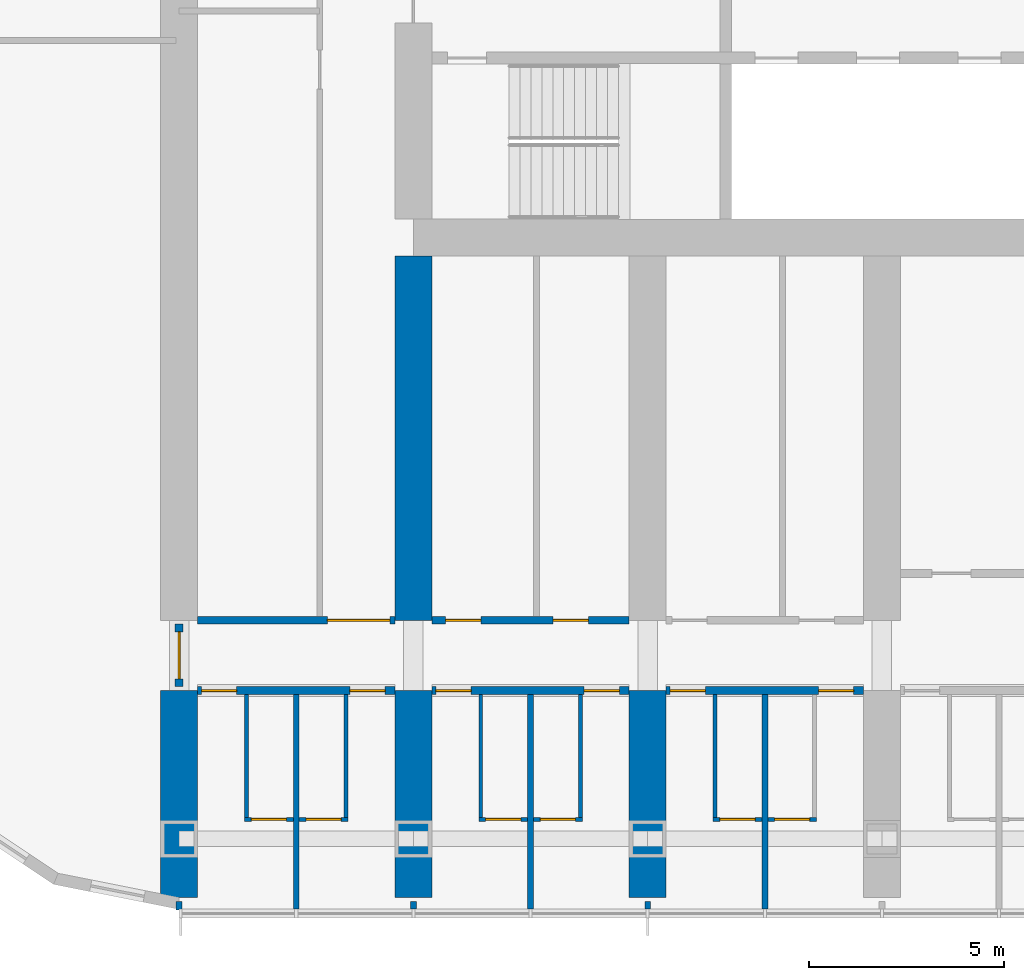
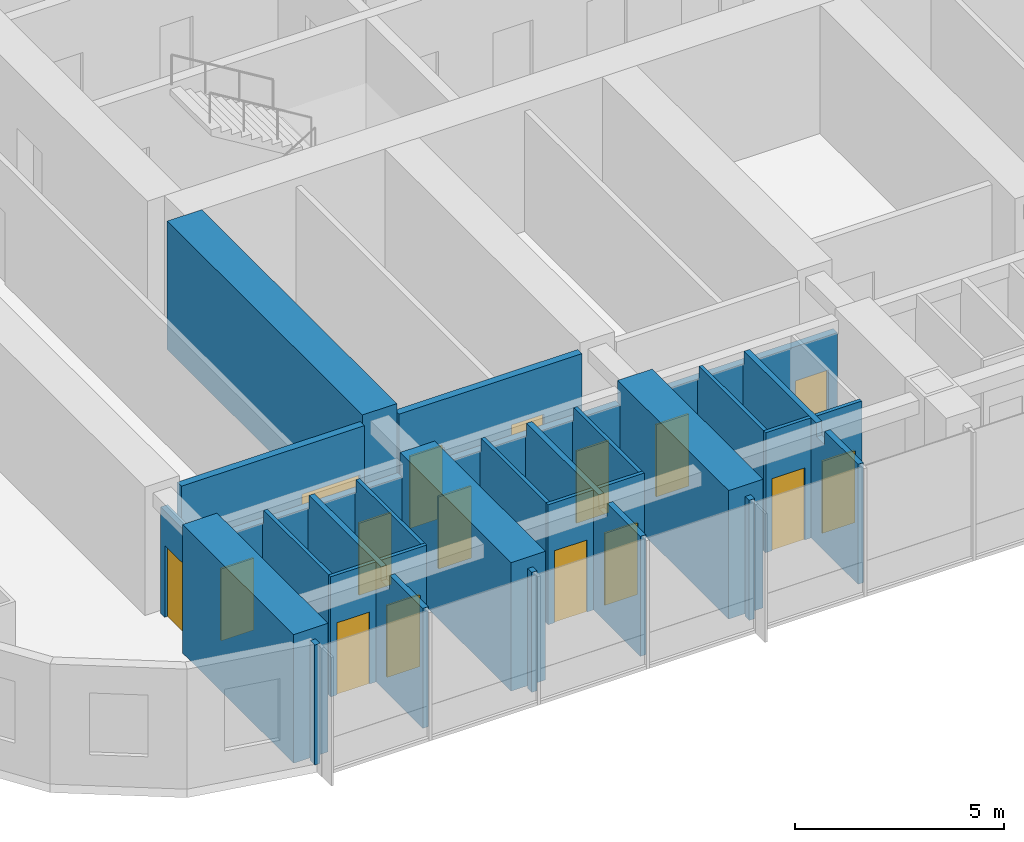
# One storey, part 8 of 22: 27 walls, 16 doors, 16 openings.
"""IFC4 building model written with IfcOpenShell, lengths in metres."""

from ifc_helpers import new_model, si_unit, direction, frame, frame_2d, origin, place, context, subcontext, project, spatial, polyline, rectangle, outline, extrude, material, layer, layer_set, type_object, element, fill, save


model = new_model("IFC4")

# Units and contexts
model_context = context("Model", 3, precision=1e-05, world=origin(), true_north=direction((0.0, 1.0)))
body_context = subcontext(model_context, "Body", "Model", "MODEL_VIEW")
ifc_project = project(units=[si_unit("LENGTHUNIT", "METRE"), si_unit("AREAUNIT", "SQUARE_METRE"), si_unit("VOLUMEUNIT", "CUBIC_METRE"), si_unit("PLANEANGLEUNIT", "RADIAN"), si_unit("MASSUNIT", "GRAM", prefix="KILO")], contexts=[model_context])

# Site, building, storey
site_placement = place(None, origin())
site = spatial("IfcSite", under=ifc_project, at=site_placement, CompositionType="ELEMENT")
building_placement = place(site_placement, origin())
building = spatial("IfcBuilding", under=site, at=building_placement, Name="Orbita Commons", CompositionType="ELEMENT")
storey_placement = place(building_placement, frame((0.0, 0.0, 118.14990234375)))
storey = spatial("IfcBuildingStorey", under=building, at=storey_placement, Name="L29", CompositionType="ELEMENT", Elevation=118.14990234375)

# Wall, openings, doors
ifc_material_1 = material(Name="Concrete blockwork", Category="masonry")
ifc_layer_1 = layer(ifc_material_1, 0.199951171875)
ifc_layer_set_1 = layer_set([ifc_layer_1], Name="Concrete blockwork")
wall_type_1 = type_object("IfcWallType", Name="Corridor wall 200 blockwork", PredefinedType="SOLIDWALL", material=ifc_layer_set_1)
wall_1_placement = place(storey_placement, frame((12.47509765625, 14.199951171875, 0.0), z_axis=(0.0, 0.0, 1.0), x_axis=(1.0, 0.0, 0.0)))
wall_1 = element("IfcWall", 1, at=wall_1_placement, inside=storey, type_object=wall_type_1, Name="Corridor wall 200 blockwork L29", PredefinedType="SOLIDWALL", context=body_context, shape_type="SweptSolid", body=[
    extrude(outline(polyline([(0.0, 0.0), (5.0498046875, 0.0), (5.050048828125, 3.10009765625), (0.0, 3.10009765625), (0.0, 0.0)])), frame((0.0, 0.10009765625, 0.0), z_axis=(0.0, -1.0, 0.0), x_axis=(1.0, 0.0, 0.0)), (0.0, 0.0, 1.0), 0.199951171875),
])
opening_1_placement = place(wall_1_placement, frame((0.10009765625, 0.0, 0.0)))
opening_1 = element("IfcOpeningElement", 2, at=opening_1_placement, cuts=wall_1, Name="Opening D11", PredefinedType="OPENING", context=body_context, shape_type="SweptSolid", body=[
    extrude(rectangle(XDim=0.89990234375, YDim=2.10009765625, at=frame_2d((0.449951171875, 1.050048828125))), frame((0.0, 0.10986328125, 0.0), z_axis=(0.0, -1.0, 0.0), x_axis=(1.0, 0.0, 0.0)), (0.0, 0.0, 1.0), 0.219970703125),
])
opening_2_placement = place(wall_1_placement, frame((3.89990234375, 0.0, 0.0)))
opening_2 = element("IfcOpeningElement", 3, at=opening_2_placement, cuts=wall_1, Name="Opening D11", PredefinedType="OPENING", context=body_context, shape_type="SweptSolid", body=[
    extrude(rectangle(XDim=0.89990234375, YDim=2.10009765625, at=frame_2d((0.449951171875, 1.050048828125))), frame((0.0, 0.10986328125, 0.0), z_axis=(0.0, -1.0, 0.0), x_axis=(1.0, 0.0, 0.0)), (0.0, 0.0, 1.0), 0.219970703125),
])
ifc_material_2 = material(Name="Steel-faced fire door leaf", Category="steel")
door_type_1 = type_object("IfcDoorType", Name="Corridor door 20 min 900x2100", OperationType="SINGLE_SWING_LEFT", PredefinedType="DOOR", material=ifc_material_2)
door_1_placement = place(opening_1_placement, origin())
door_1 = element("IfcDoor", 4, at=door_1_placement, inside=storey, type_object=door_type_1, Name="Cluster bedroom L29-S00 door", OperationType="SINGLE_SWING_LEFT", OverallHeight=2.10009765625, OverallWidth=0.89990234375, PredefinedType="DOOR", context=body_context, shape_type="SweptSolid", body=[
    extrude(rectangle(XDim=0.89990234375, YDim=2.10009765625, at=frame_2d((0.449951171875, 1.050048828125))), frame((0.0, 0.02490234375, 0.0), z_axis=(0.0, -1.0, 0.0), x_axis=(1.0, 0.0, 0.0)), (0.0, 0.0, 1.0), 0.050048828125),
])
fill(opening_1, door_1)
door_2_placement = place(opening_2_placement, origin())
door_2 = element("IfcDoor", 5, at=door_2_placement, inside=storey, type_object=door_type_1, Name="Cluster bedroom L29-S01 door", OperationType="SINGLE_SWING_LEFT", OverallHeight=2.10009765625, OverallWidth=0.89990234375, PredefinedType="DOOR", context=body_context, shape_type="SweptSolid", body=[
    extrude(rectangle(XDim=0.89990234375, YDim=2.10009765625, at=frame_2d((0.449951171875, 1.050048828125))), frame((0.0, 0.02490234375, 0.0), z_axis=(0.0, -1.0, 0.0), x_axis=(1.0, 0.0, 0.0)), (0.0, 0.0, 1.0), 0.050048828125),
])
fill(opening_2, door_2)

wall_2_placement = place(storey_placement, frame((18.47509765625, 14.199951171875, 0.0), z_axis=(0.0, 0.0, 1.0), x_axis=(1.0, 0.0, 0.0)))
wall_2 = element("IfcWall", 6, at=wall_2_placement, inside=storey, type_object=wall_type_1, Name="Corridor wall 200 blockwork L29", PredefinedType="SOLIDWALL", context=body_context, shape_type="SweptSolid", body=[
    extrude(outline(polyline([(0.0, 0.0), (5.0498046875, 0.0), (5.050048828125, 3.10009765625), (0.0, 3.10009765625), (0.0, 0.0)])), frame((0.0, 0.10009765625, 0.0), z_axis=(0.0, -1.0, 0.0), x_axis=(1.0, 0.0, 0.0)), (0.0, 0.0, 1.0), 0.199951171875),
])
opening_3_placement = place(wall_2_placement, frame((0.10009765625, 0.0, 0.0)))
opening_3 = element("IfcOpeningElement", 7, at=opening_3_placement, cuts=wall_2, Name="Opening D11", PredefinedType="OPENING", context=body_context, shape_type="SweptSolid", body=[
    extrude(rectangle(XDim=0.89990234375, YDim=2.10009765625, at=frame_2d((0.449951171875, 1.050048828125))), frame((0.0, 0.10986328125, 0.0), z_axis=(0.0, -1.0, 0.0), x_axis=(1.0, 0.0, 0.0)), (0.0, 0.0, 1.0), 0.219970703125),
])
opening_4_placement = place(wall_2_placement, frame((3.89990234375, 0.0, 0.0)))
opening_4 = element("IfcOpeningElement", 8, at=opening_4_placement, cuts=wall_2, Name="Opening D11", PredefinedType="OPENING", context=body_context, shape_type="SweptSolid", body=[
    extrude(rectangle(XDim=0.89990234375, YDim=2.10009765625, at=frame_2d((0.449951171875, 1.050048828125))), frame((0.0, 0.10986328125, 0.0), z_axis=(0.0, -1.0, 0.0), x_axis=(1.0, 0.0, 0.0)), (0.0, 0.0, 1.0), 0.219970703125),
])
door_3_placement = place(opening_3_placement, origin())
door_3 = element("IfcDoor", 9, at=door_3_placement, inside=storey, type_object=door_type_1, Name="Cluster bedroom L29-S02 door", OperationType="SINGLE_SWING_LEFT", OverallHeight=2.10009765625, OverallWidth=0.89990234375, PredefinedType="DOOR", context=body_context, shape_type="SweptSolid", body=[
    extrude(rectangle(XDim=0.89990234375, YDim=2.10009765625, at=frame_2d((0.449951171875, 1.050048828125))), frame((0.0, 0.02490234375, 0.0), z_axis=(0.0, -1.0, 0.0), x_axis=(1.0, 0.0, 0.0)), (0.0, 0.0, 1.0), 0.050048828125),
])
fill(opening_3, door_3)
door_4_placement = place(opening_4_placement, origin())
door_4 = element("IfcDoor", 10, at=door_4_placement, inside=storey, type_object=door_type_1, Name="Cluster bedroom L29-S03 door", OperationType="SINGLE_SWING_LEFT", OverallHeight=2.10009765625, OverallWidth=0.89990234375, PredefinedType="DOOR", context=body_context, shape_type="SweptSolid", body=[
    extrude(rectangle(XDim=0.89990234375, YDim=2.10009765625, at=frame_2d((0.449951171875, 1.050048828125))), frame((0.0, 0.02490234375, 0.0), z_axis=(0.0, -1.0, 0.0), x_axis=(1.0, 0.0, 0.0)), (0.0, 0.0, 1.0), 0.050048828125),
])
fill(opening_4, door_4)

wall_3_placement = place(storey_placement, frame((24.47509765625, 14.199951171875, 0.0), z_axis=(0.0, 0.0, 1.0), x_axis=(1.0, 0.0, 0.0)))
wall_3 = element("IfcWall", 11, at=wall_3_placement, inside=storey, type_object=wall_type_1, Name="Corridor wall 200 blockwork L29", PredefinedType="SOLIDWALL", context=body_context, shape_type="SweptSolid", body=[
    extrude(outline(polyline([(0.0, 0.0), (5.0498046875, 0.0), (5.050048828125, 3.10009765625), (0.0, 3.10009765625), (0.0, 0.0)])), frame((0.0, 0.10009765625, 0.0), z_axis=(0.0, -1.0, 0.0), x_axis=(1.0, 0.0, 0.0)), (0.0, 0.0, 1.0), 0.199951171875),
])
opening_5_placement = place(wall_3_placement, frame((0.10009765625, 0.0, 0.0)))
opening_5 = element("IfcOpeningElement", 12, at=opening_5_placement, cuts=wall_3, Name="Opening D11", PredefinedType="OPENING", context=body_context, shape_type="SweptSolid", body=[
    extrude(rectangle(XDim=0.89990234375, YDim=2.10009765625, at=frame_2d((0.449951171875, 1.050048828125))), frame((0.0, 0.10986328125, 0.0), z_axis=(0.0, -1.0, 0.0), x_axis=(1.0, 0.0, 0.0)), (0.0, 0.0, 1.0), 0.219970703125),
])
opening_6_placement = place(wall_3_placement, frame((3.89990234375, 0.0, 0.0)))
opening_6 = element("IfcOpeningElement", 13, at=opening_6_placement, cuts=wall_3, Name="Opening D11", PredefinedType="OPENING", context=body_context, shape_type="SweptSolid", body=[
    extrude(rectangle(XDim=0.89990234375, YDim=2.10009765625, at=frame_2d((0.449951171875, 1.050048828125))), frame((0.0, 0.10986328125, 0.0), z_axis=(0.0, -1.0, 0.0), x_axis=(1.0, 0.0, 0.0)), (0.0, 0.0, 1.0), 0.219970703125),
])
door_5_placement = place(opening_5_placement, origin())
door_5 = element("IfcDoor", 14, at=door_5_placement, inside=storey, type_object=door_type_1, Name="Cluster bedroom L29-S04 door", OperationType="SINGLE_SWING_LEFT", OverallHeight=2.10009765625, OverallWidth=0.89990234375, PredefinedType="DOOR", context=body_context, shape_type="SweptSolid", body=[
    extrude(rectangle(XDim=0.89990234375, YDim=2.10009765625, at=frame_2d((0.449951171875, 1.050048828125))), frame((0.0, 0.02490234375, 0.0), z_axis=(0.0, -1.0, 0.0), x_axis=(1.0, 0.0, 0.0)), (0.0, 0.0, 1.0), 0.050048828125),
])
fill(opening_5, door_5)
door_6_placement = place(opening_6_placement, origin())
door_6 = element("IfcDoor", 15, at=door_6_placement, inside=storey, type_object=door_type_1, Name="Cluster bedroom L29-S05 door", OperationType="SINGLE_SWING_LEFT", OverallHeight=2.10009765625, OverallWidth=0.89990234375, PredefinedType="DOOR", context=body_context, shape_type="SweptSolid", body=[
    extrude(rectangle(XDim=0.89990234375, YDim=2.10009765625, at=frame_2d((0.449951171875, 1.050048828125))), frame((0.0, 0.02490234375, 0.0), z_axis=(0.0, -1.0, 0.0), x_axis=(1.0, 0.0, 0.0)), (0.0, 0.0, 1.0), 0.050048828125),
])
fill(opening_6, door_6)

# Wall, opening, door
wall_4_placement = place(storey_placement, frame((12.0, 14.300048828125, 0.0), z_axis=(0.0, 0.0, 1.0), x_axis=(0.0, 1.0, 0.0)))
wall_4 = element("IfcWall", 16, at=wall_4_placement, inside=storey, type_object=wall_type_1, Name="Corridor wall 200 blockwork L29", PredefinedType="SOLIDWALL", context=body_context, shape_type="SweptSolid", body=[
    extrude(outline(polyline([(0.0, 0.0), (1.599853515625, 0.0), (1.60009765625, 3.10009765625), (0.0, 3.10009765625), (0.0, 0.0)])), frame((0.0, 0.10009765625, 0.0), z_axis=(0.0, -1.0, 0.0), x_axis=(1.0, 0.0, 0.0)), (0.0, 0.0, 1.0), 0.199951171875),
])
opening_7_placement = place(wall_4_placement, frame((0.199951171875, 0.0, 0.0)))
opening_7 = element("IfcOpeningElement", 17, at=opening_7_placement, cuts=wall_4, Name="Opening D12", PredefinedType="OPENING", context=body_context, shape_type="SweptSolid", body=[
    extrude(rectangle(XDim=1.199951171875, YDim=2.10009765625, at=frame_2d((0.60009765625, 1.050048828125))), frame((0.0, 0.10986328125, 0.0), z_axis=(0.0, -1.0, 0.0), x_axis=(1.0, 0.0, 0.0)), (0.0, 0.0, 1.0), 0.219970703125),
])
ifc_material_3 = material(Name="Steel-faced fire door leaf", Category="steel")
door_type_2 = type_object("IfcDoorType", Name="Double corridor door 20 min 1200x2100", OperationType="DOUBLE_DOOR_SINGLE_SWING", PredefinedType="DOOR", material=ifc_material_3)
door_7_placement = place(opening_7_placement, origin())
door_7 = element("IfcDoor", 18, at=door_7_placement, inside=storey, type_object=door_type_2, Name="Lounge doors", OperationType="DOUBLE_DOOR_SINGLE_SWING", OverallHeight=2.10009765625, OverallWidth=1.199951171875, PredefinedType="DOOR", context=body_context, shape_type="SweptSolid", body=[
    extrude(rectangle(XDim=1.199951171875, YDim=2.10009765625, at=frame_2d((0.60009765625, 1.050048828125))), frame((0.0, 0.02490234375, 0.0), z_axis=(0.0, -1.0, 0.0), x_axis=(1.0, 0.0, 0.0)), (0.0, 0.0, 1.0), 0.050048828125),
])
fill(opening_7, door_7)

ifc_material_4 = material(Name="Hollow concrete block 200", Category="concrete")
ifc_layer_2 = layer(ifc_material_4, 0.199951171875)
ifc_layer_set_2 = layer_set([ifc_layer_2], Name="Hollow concrete block 200")
wall_type_2 = type_object("IfcWallType", Name="Corridor wall 200 hollow concrete block", PredefinedType="SOLIDWALL", material=ifc_layer_set_2)
wall_5_placement = place(storey_placement, frame((12.47509765625, 16.0, 0.0), z_axis=(0.0, 0.0, 1.0), x_axis=(1.0, 0.0, 0.0)))
wall_5 = element("IfcWall", 19, at=wall_5_placement, inside=storey, type_object=wall_type_2, Name="Corridor wall 200 hollow concrete block L29", PredefinedType="SOLIDWALL", context=body_context, shape_type="SweptSolid", body=[
    extrude(rectangle(XDim=5.0498046875, YDim=0.199951171875, at=frame_2d((2.52490234375, 0.0))), origin(), (0.0, 0.0, 1.0), 3.5),
])
opening_8_placement = place(wall_5_placement, frame((3.324951171875, 0.0, 0.0)))
opening_8 = element("IfcOpeningElement", 20, at=opening_8_placement, cuts=wall_5, Name="Opening D10", PredefinedType="OPENING", context=body_context, shape_type="SweptSolid", body=[
    extrude(rectangle(XDim=1.60009765625, YDim=2.10009765625, at=frame_2d((0.800048828125, 1.050048828125))), frame((0.0, 0.10986328125, 0.0), z_axis=(0.0, -1.0, 0.0), x_axis=(1.0, 0.0, 0.0)), (0.0, 0.0, 1.0), 0.219970703125),
])
ifc_material_5 = material(Name="Steel-faced fire door leaf", Category="steel")
door_type_3 = type_object("IfcDoorType", Name="Double corridor door 20 min 1600x2100", OperationType="DOUBLE_DOOR_SINGLE_SWING", PredefinedType="DOOR", material=ifc_material_5)
door_8_placement = place(opening_8_placement, origin())
door_8 = element("IfcDoor", 21, at=door_8_placement, inside=storey, type_object=door_type_3, Name="Cross corridor doors", OperationType="DOUBLE_DOOR_SINGLE_SWING", OverallHeight=2.10009765625, OverallWidth=1.60009765625, PredefinedType="DOOR", context=body_context, shape_type="SweptSolid", body=[
    extrude(rectangle(XDim=1.60009765625, YDim=2.10009765625, at=frame_2d((0.800048828125, 1.050048828125))), frame((0.0, 0.02490234375, 0.0), z_axis=(0.0, -1.0, 0.0), x_axis=(1.0, 0.0, 0.0)), (0.0, 0.0, 1.0), 0.050048828125),
])
fill(opening_8, door_8)

# Wall, openings, doors
wall_6_placement = place(storey_placement, frame((18.47509765625, 16.0, 0.0), z_axis=(0.0, 0.0, 1.0), x_axis=(1.0, 0.0, 0.0)))
wall_6 = element("IfcWall", 22, at=wall_6_placement, inside=storey, type_object=wall_type_2, Name="Corridor wall 200 hollow concrete block L29", PredefinedType="SOLIDWALL", context=body_context, shape_type="SweptSolid", body=[
    extrude(rectangle(XDim=5.0498046875, YDim=0.199951171875, at=frame_2d((2.52490234375, 0.0))), origin(), (0.0, 0.0, 1.0), 3.5),
])
opening_9_placement = place(wall_6_placement, frame((0.35009765625, 0.0, 0.0)))
opening_9 = element("IfcOpeningElement", 23, at=opening_9_placement, cuts=wall_6, Name="Opening D11", PredefinedType="OPENING", context=body_context, shape_type="SweptSolid", body=[
    extrude(rectangle(XDim=0.89990234375, YDim=2.10009765625, at=frame_2d((0.449951171875, 1.050048828125))), frame((0.0, 0.10986328125, 0.0), z_axis=(0.0, -1.0, 0.0), x_axis=(1.0, 0.0, 0.0)), (0.0, 0.0, 1.0), 0.219970703125),
])
opening_10_placement = place(wall_6_placement, frame((3.10498046875, 0.0, 0.0)))
opening_10 = element("IfcOpeningElement", 24, at=opening_10_placement, cuts=wall_6, Name="Opening D11", PredefinedType="OPENING", context=body_context, shape_type="SweptSolid", body=[
    extrude(rectangle(XDim=0.89990234375, YDim=2.10009765625, at=frame_2d((0.449951171875, 1.050048828125))), frame((0.0, 0.10986328125, 0.0), z_axis=(0.0, -1.0, 0.0), x_axis=(1.0, 0.0, 0.0)), (0.0, 0.0, 1.0), 0.219970703125),
])
door_9_placement = place(opening_9_placement, origin())
door_9 = element("IfcDoor", 25, at=door_9_placement, inside=storey, type_object=door_type_1, Name="Accessible WC and shower room L29-BDS18n door", OperationType="SINGLE_SWING_LEFT", OverallHeight=2.10009765625, OverallWidth=0.89990234375, PredefinedType="DOOR", context=body_context, shape_type="SweptSolid", body=[
    extrude(rectangle(XDim=0.89990234375, YDim=2.10009765625, at=frame_2d((0.449951171875, 1.050048828125))), frame((0.0, 0.02490234375, 0.0), z_axis=(0.0, -1.0, 0.0), x_axis=(1.0, 0.0, 0.0)), (0.0, 0.0, 1.0), 0.050048828125),
])
fill(opening_9, door_9)
door_10_placement = place(opening_10_placement, origin())
door_10 = element("IfcDoor", 26, at=door_10_placement, inside=storey, type_object=door_type_1, Name="Meeting room L29-BDS18 door", OperationType="SINGLE_SWING_LEFT", OverallHeight=2.10009765625, OverallWidth=0.89990234375, PredefinedType="DOOR", context=body_context, shape_type="SweptSolid", body=[
    extrude(rectangle(XDim=0.89990234375, YDim=2.10009765625, at=frame_2d((0.449951171875, 1.050048828125))), frame((0.0, 0.02490234375, 0.0), z_axis=(0.0, -1.0, 0.0), x_axis=(1.0, 0.0, 0.0)), (0.0, 0.0, 1.0), 0.050048828125),
])
fill(opening_10, door_10)

# Walls
ifc_material_6 = material(Name="Concrete C50/60", Category="concrete")
ifc_layer_3 = layer(ifc_material_6, 0.949951171875)
ifc_layer_set_3 = layer_set([ifc_layer_3], Name="Concrete C50/60")
wall_type_3 = type_object("IfcWallType", Name="Cross wall 950 C50/60", PredefinedType="SHEAR", material=ifc_layer_set_3)
for number, where, z_axis, x_axis, name in (
    (27, (12.0, 8.89990234375, 0.0), (0.0, 0.0, 1.0), (0.0, 1.0, 0.0), "Cross wall 3 south outer L29"),
    (28, (18.0, 8.89990234375, 0.0), (0.0, 0.0, 1.0), (0.0, 1.0, 0.0), "Cross wall 4 south outer L29"),
):
    element("IfcWall", number, at=place(storey_placement, frame(where, z_axis=z_axis, x_axis=x_axis)), inside=storey, type_object=wall_type_3, Name=name, PredefinedType="SHEAR", context=body_context, shape_type="SweptSolid", body=[
        extrude(rectangle(XDim=5.300048828125, YDim=0.949951171875, at=frame_2d((2.64990234375, 0.0))), origin(), (0.0, 0.0, 1.0), 3.75),
    ])
wall_7_placement = place(storey_placement, frame((18.0, 16.0, 0.0), z_axis=(0.0, 0.0, 1.0), x_axis=(0.0, 1.0, 0.0)))
element("IfcWall", 29, at=wall_7_placement, inside=storey, type_object=wall_type_3, Name="Cross wall 4 south inner L29", PredefinedType="SHEAR", context=body_context, shape_type="SweptSolid", body=[
    extrude(rectangle(XDim=9.324951171875, YDim=0.949951171875, at=frame_2d((4.66259765625, 0.0))), origin(), (0.0, 0.0, 1.0), 3.75),
])
wall_8_placement = place(storey_placement, frame((24.0, 8.89990234375, 0.0), z_axis=(0.0, 0.0, 1.0), x_axis=(0.0, 1.0, 0.0)))
element("IfcWall", 30, at=wall_8_placement, inside=storey, type_object=wall_type_3, Name="Cross wall 5 south outer L29", PredefinedType="SHEAR", context=body_context, shape_type="SweptSolid", body=[
    extrude(rectangle(XDim=5.300048828125, YDim=0.949951171875, at=frame_2d((2.64990234375, 0.0))), origin(), (0.0, 0.0, 1.0), 3.75),
])

# Wall, opening, door
ifc_material_7 = material(Name="Moisture-resistant plasterboard on steel studs", Category="steel")
ifc_layer_4 = layer(ifc_material_7, 0.10009765625)
ifc_layer_set_4 = layer_set([ifc_layer_4], Name="Moisture-resistant plasterboard on steel studs")
wall_type_4 = type_object("IfcWallType", Name="En-suite partition 100", PredefinedType="PARTITIONING", material=ifc_layer_set_4)
wall_9_placement = place(storey_placement, frame((14.925048828125, 10.89990234375, 0.0), z_axis=(0.0, 0.0, 1.0), x_axis=(-1.0, 0.0, 0.0)))
wall_9 = element("IfcWall", 31, at=wall_9_placement, inside=storey, type_object=wall_type_4, Name="En-suite partition 100 L29", PredefinedType="PARTITIONING", context=body_context, shape_type="SweptSolid", body=[
    extrude(rectangle(XDim=1.25, YDim=0.10009765625, at=frame_2d((0.625, 0.0))), origin(), (0.0, 0.0, 1.0), 3.5),
])
opening_11_placement = place(wall_9_placement, frame((0.175048828125, 0.0, 0.0)))
opening_11 = element("IfcOpeningElement", 32, at=opening_11_placement, cuts=wall_9, Name="Opening D09", PredefinedType="OPENING", context=body_context, shape_type="SweptSolid", body=[
    extrude(rectangle(XDim=0.89990234375, YDim=2.10009765625, at=frame_2d((0.449951171875, 1.050048828125))), frame((0.0, 0.06005859375, 0.0), z_axis=(0.0, -1.0, 0.0), x_axis=(1.0, 0.0, 0.0)), (0.0, 0.0, 1.0), 0.1201171875),
])
ifc_material_8 = material(Name="Laminated timber door leaf", Category="wood")
door_type_4 = type_object("IfcDoorType", Name="En-suite door 900x2100", OperationType="SINGLE_SWING_RIGHT", PredefinedType="DOOR", material=ifc_material_8)
door_11_placement = place(opening_11_placement, origin())
door_11 = element("IfcDoor", 33, at=door_11_placement, inside=storey, type_object=door_type_4, Name="En-suite L29-S00 door", OperationType="SINGLE_SWING_RIGHT", OverallHeight=2.10009765625, OverallWidth=0.89990234375, PredefinedType="DOOR", context=body_context, shape_type="SweptSolid", body=[
    extrude(rectangle(XDim=0.89990234375, YDim=2.10009765625, at=frame_2d((0.449951171875, 1.050048828125))), frame((0.0, 0.02490234375, 0.0), z_axis=(0.0, -1.0, 0.0), x_axis=(1.0, 0.0, 0.0)), (0.0, 0.0, 1.0), 0.050048828125),
])
fill(opening_11, door_11)

# Wall
wall_10_placement = place(storey_placement, frame((13.72509765625, 10.949951171875, 0.0), z_axis=(0.0, 0.0, 1.0), x_axis=(0.0, 1.0, 0.0)))
element("IfcWall", 34, at=wall_10_placement, inside=storey, type_object=wall_type_4, Name="En-suite partition 100 L29", PredefinedType="PARTITIONING", context=body_context, shape_type="SweptSolid", body=[
    extrude(outline(polyline([(0.0, 0.0), (3.150146484375, 0.0), (3.14990234375, 3.10009765625), (3.10205078125, 3.10009765625), (3.10009765625, 3.5), (0.0, 3.5), (0.0, 0.0)])), frame((0.0, 0.050048828125, 0.0), z_axis=(0.0, -1.0, 0.0), x_axis=(1.0, 0.0, 0.0)), (0.0, 0.0, 1.0), 0.10009765625),
])

# Wall, opening, door
wall_11_placement = place(storey_placement, frame((16.324951171875, 10.89990234375, 0.0), z_axis=(0.0, 0.0, 1.0), x_axis=(-1.0, 0.0, 0.0)))
wall_11 = element("IfcWall", 35, at=wall_11_placement, inside=storey, type_object=wall_type_4, Name="En-suite partition 100 L29", PredefinedType="PARTITIONING", context=body_context, shape_type="SweptSolid", body=[
    extrude(rectangle(XDim=1.25, YDim=0.10009765625, at=frame_2d((0.625, 0.0))), origin(), (0.0, 0.0, 1.0), 3.5),
])
opening_12_placement = place(wall_11_placement, frame((0.175048828125, 0.0, 0.0)))
opening_12 = element("IfcOpeningElement", 36, at=opening_12_placement, cuts=wall_11, Name="Opening D09", PredefinedType="OPENING", context=body_context, shape_type="SweptSolid", body=[
    extrude(rectangle(XDim=0.89990234375, YDim=2.10009765625, at=frame_2d((0.449951171875, 1.050048828125))), frame((0.0, 0.06005859375, 0.0), z_axis=(0.0, -1.0, 0.0), x_axis=(1.0, 0.0, 0.0)), (0.0, 0.0, 1.0), 0.1201171875),
])
door_12_placement = place(opening_12_placement, origin())
door_12 = element("IfcDoor", 37, at=door_12_placement, inside=storey, type_object=door_type_4, Name="En-suite L29-S01 door", OperationType="SINGLE_SWING_RIGHT", OverallHeight=2.10009765625, OverallWidth=0.89990234375, PredefinedType="DOOR", context=body_context, shape_type="SweptSolid", body=[
    extrude(rectangle(XDim=0.89990234375, YDim=2.10009765625, at=frame_2d((0.449951171875, 1.050048828125))), frame((0.0, 0.02490234375, 0.0), z_axis=(0.0, -1.0, 0.0), x_axis=(1.0, 0.0, 0.0)), (0.0, 0.0, 1.0), 0.050048828125),
])
fill(opening_12, door_12)

# Wall
wall_12_placement = place(storey_placement, frame((16.27490234375, 10.949951171875, 0.0), z_axis=(0.0, 0.0, 1.0), x_axis=(0.0, 1.0, 0.0)))
element("IfcWall", 38, at=wall_12_placement, inside=storey, type_object=wall_type_4, Name="En-suite partition 100 L29", PredefinedType="PARTITIONING", context=body_context, shape_type="SweptSolid", body=[
    extrude(outline(polyline([(0.0, 0.0), (3.150146484375, 0.0), (3.14990234375, 3.10009765625), (3.10205078125, 3.10009765625), (3.10009765625, 3.5), (0.0, 3.5), (0.0, 0.0)])), frame((0.0, 0.050048828125, 0.0), z_axis=(0.0, -1.0, 0.0), x_axis=(1.0, 0.0, 0.0)), (0.0, 0.0, 1.0), 0.10009765625),
])

# Wall, opening, door
wall_13_placement = place(storey_placement, frame((20.925048828125, 10.89990234375, 0.0), z_axis=(0.0, 0.0, 1.0), x_axis=(-1.0, 0.0, 0.0)))
wall_13 = element("IfcWall", 39, at=wall_13_placement, inside=storey, type_object=wall_type_4, Name="En-suite partition 100 L29", PredefinedType="PARTITIONING", context=body_context, shape_type="SweptSolid", body=[
    extrude(rectangle(XDim=1.25, YDim=0.10009765625, at=frame_2d((0.625, 0.0))), origin(), (0.0, 0.0, 1.0), 3.5),
])
opening_13_placement = place(wall_13_placement, frame((0.175048828125, 0.0, 0.0)))
opening_13 = element("IfcOpeningElement", 40, at=opening_13_placement, cuts=wall_13, Name="Opening D09", PredefinedType="OPENING", context=body_context, shape_type="SweptSolid", body=[
    extrude(rectangle(XDim=0.89990234375, YDim=2.10009765625, at=frame_2d((0.449951171875, 1.050048828125))), frame((0.0, 0.06005859375, 0.0), z_axis=(0.0, -1.0, 0.0), x_axis=(1.0, 0.0, 0.0)), (0.0, 0.0, 1.0), 0.1201171875),
])
door_13_placement = place(opening_13_placement, origin())
door_13 = element("IfcDoor", 41, at=door_13_placement, inside=storey, type_object=door_type_4, Name="En-suite L29-S02 door", OperationType="SINGLE_SWING_RIGHT", OverallHeight=2.10009765625, OverallWidth=0.89990234375, PredefinedType="DOOR", context=body_context, shape_type="SweptSolid", body=[
    extrude(rectangle(XDim=0.89990234375, YDim=2.10009765625, at=frame_2d((0.449951171875, 1.050048828125))), frame((0.0, 0.02490234375, 0.0), z_axis=(0.0, -1.0, 0.0), x_axis=(1.0, 0.0, 0.0)), (0.0, 0.0, 1.0), 0.050048828125),
])
fill(opening_13, door_13)

# Wall
wall_14_placement = place(storey_placement, frame((19.72509765625, 10.949951171875, 0.0), z_axis=(0.0, 0.0, 1.0), x_axis=(0.0, 1.0, 0.0)))
element("IfcWall", 42, at=wall_14_placement, inside=storey, type_object=wall_type_4, Name="En-suite partition 100 L29", PredefinedType="PARTITIONING", context=body_context, shape_type="SweptSolid", body=[
    extrude(outline(polyline([(0.0, 0.0), (3.150146484375, 0.0), (3.14990234375, 3.10009765625), (3.10205078125, 3.10009765625), (3.10009765625, 3.5), (0.0, 3.5), (0.0, 0.0)])), frame((0.0, 0.050048828125, 0.0), z_axis=(0.0, -1.0, 0.0), x_axis=(1.0, 0.0, 0.0)), (0.0, 0.0, 1.0), 0.10009765625),
])

# Wall, opening, door
wall_15_placement = place(storey_placement, frame((22.324951171875, 10.89990234375, 0.0), z_axis=(0.0, 0.0, 1.0), x_axis=(-1.0, 0.0, 0.0)))
wall_15 = element("IfcWall", 43, at=wall_15_placement, inside=storey, type_object=wall_type_4, Name="En-suite partition 100 L29", PredefinedType="PARTITIONING", context=body_context, shape_type="SweptSolid", body=[
    extrude(rectangle(XDim=1.25, YDim=0.10009765625, at=frame_2d((0.625, 0.0))), origin(), (0.0, 0.0, 1.0), 3.5),
])
opening_14_placement = place(wall_15_placement, frame((0.175048828125, 0.0, 0.0)))
opening_14 = element("IfcOpeningElement", 44, at=opening_14_placement, cuts=wall_15, Name="Opening D09", PredefinedType="OPENING", context=body_context, shape_type="SweptSolid", body=[
    extrude(rectangle(XDim=0.89990234375, YDim=2.10009765625, at=frame_2d((0.449951171875, 1.050048828125))), frame((0.0, 0.06005859375, 0.0), z_axis=(0.0, -1.0, 0.0), x_axis=(1.0, 0.0, 0.0)), (0.0, 0.0, 1.0), 0.1201171875),
])
door_14_placement = place(opening_14_placement, origin())
door_14 = element("IfcDoor", 45, at=door_14_placement, inside=storey, type_object=door_type_4, Name="En-suite L29-S03 door", OperationType="SINGLE_SWING_RIGHT", OverallHeight=2.10009765625, OverallWidth=0.89990234375, PredefinedType="DOOR", context=body_context, shape_type="SweptSolid", body=[
    extrude(rectangle(XDim=0.89990234375, YDim=2.10009765625, at=frame_2d((0.449951171875, 1.050048828125))), frame((0.0, 0.02490234375, 0.0), z_axis=(0.0, -1.0, 0.0), x_axis=(1.0, 0.0, 0.0)), (0.0, 0.0, 1.0), 0.050048828125),
])
fill(opening_14, door_14)

# Wall
wall_16_placement = place(storey_placement, frame((22.27490234375, 10.949951171875, 0.0), z_axis=(0.0, 0.0, 1.0), x_axis=(0.0, 1.0, 0.0)))
element("IfcWall", 46, at=wall_16_placement, inside=storey, type_object=wall_type_4, Name="En-suite partition 100 L29", PredefinedType="PARTITIONING", context=body_context, shape_type="SweptSolid", body=[
    extrude(outline(polyline([(0.0, 0.0), (3.150146484375, 0.0), (3.14990234375, 3.10009765625), (3.10205078125, 3.10009765625), (3.10009765625, 3.5), (0.0, 3.5), (0.0, 0.0)])), frame((0.0, 0.050048828125, 0.0), z_axis=(0.0, -1.0, 0.0), x_axis=(1.0, 0.0, 0.0)), (0.0, 0.0, 1.0), 0.10009765625),
])

# Wall, opening, door
wall_17_placement = place(storey_placement, frame((26.925048828125, 10.89990234375, 0.0), z_axis=(0.0, 0.0, 1.0), x_axis=(-1.0, 0.0, 0.0)))
wall_17 = element("IfcWall", 47, at=wall_17_placement, inside=storey, type_object=wall_type_4, Name="En-suite partition 100 L29", PredefinedType="PARTITIONING", context=body_context, shape_type="SweptSolid", body=[
    extrude(rectangle(XDim=1.25, YDim=0.10009765625, at=frame_2d((0.625, 0.0))), origin(), (0.0, 0.0, 1.0), 3.5),
])
opening_15_placement = place(wall_17_placement, frame((0.175048828125, 0.0, 0.0)))
opening_15 = element("IfcOpeningElement", 48, at=opening_15_placement, cuts=wall_17, Name="Opening D09", PredefinedType="OPENING", context=body_context, shape_type="SweptSolid", body=[
    extrude(rectangle(XDim=0.89990234375, YDim=2.10009765625, at=frame_2d((0.449951171875, 1.050048828125))), frame((0.0, 0.06005859375, 0.0), z_axis=(0.0, -1.0, 0.0), x_axis=(1.0, 0.0, 0.0)), (0.0, 0.0, 1.0), 0.1201171875),
])
door_15_placement = place(opening_15_placement, origin())
door_15 = element("IfcDoor", 49, at=door_15_placement, inside=storey, type_object=door_type_4, Name="En-suite L29-S04 door", OperationType="SINGLE_SWING_RIGHT", OverallHeight=2.10009765625, OverallWidth=0.89990234375, PredefinedType="DOOR", context=body_context, shape_type="SweptSolid", body=[
    extrude(rectangle(XDim=0.89990234375, YDim=2.10009765625, at=frame_2d((0.449951171875, 1.050048828125))), frame((0.0, 0.02490234375, 0.0), z_axis=(0.0, -1.0, 0.0), x_axis=(1.0, 0.0, 0.0)), (0.0, 0.0, 1.0), 0.050048828125),
])
fill(opening_15, door_15)

# Wall
wall_18_placement = place(storey_placement, frame((25.72509765625, 10.949951171875, 0.0), z_axis=(0.0, 0.0, 1.0), x_axis=(0.0, 1.0, 0.0)))
element("IfcWall", 50, at=wall_18_placement, inside=storey, type_object=wall_type_4, Name="En-suite partition 100 L29", PredefinedType="PARTITIONING", context=body_context, shape_type="SweptSolid", body=[
    extrude(outline(polyline([(0.0, 0.0), (3.150146484375, 0.0), (3.14990234375, 3.10009765625), (3.10205078125, 3.10009765625), (3.10009765625, 3.5), (0.0, 3.5), (0.0, 0.0)])), frame((0.0, 0.050048828125, 0.0), z_axis=(0.0, -1.0, 0.0), x_axis=(1.0, 0.0, 0.0)), (0.0, 0.0, 1.0), 0.10009765625),
])

# Wall, opening, door
wall_19_placement = place(storey_placement, frame((28.324951171875, 10.89990234375, 0.0), z_axis=(0.0, 0.0, 1.0), x_axis=(-1.0, 0.0, 0.0)))
wall_19 = element("IfcWall", 51, at=wall_19_placement, inside=storey, type_object=wall_type_4, Name="En-suite partition 100 L29", PredefinedType="PARTITIONING", context=body_context, shape_type="SweptSolid", body=[
    extrude(rectangle(XDim=1.25, YDim=0.10009765625, at=frame_2d((0.625, 0.0))), origin(), (0.0, 0.0, 1.0), 3.5),
])
opening_16_placement = place(wall_19_placement, frame((0.175048828125, 0.0, 0.0)))
opening_16 = element("IfcOpeningElement", 52, at=opening_16_placement, cuts=wall_19, Name="Opening D09", PredefinedType="OPENING", context=body_context, shape_type="SweptSolid", body=[
    extrude(rectangle(XDim=0.89990234375, YDim=2.10009765625, at=frame_2d((0.449951171875, 1.050048828125))), frame((0.0, 0.06005859375, 0.0), z_axis=(0.0, -1.0, 0.0), x_axis=(1.0, 0.0, 0.0)), (0.0, 0.0, 1.0), 0.1201171875),
])
door_16_placement = place(opening_16_placement, origin())
door_16 = element("IfcDoor", 53, at=door_16_placement, inside=storey, type_object=door_type_4, Name="En-suite L29-S05 door", OperationType="SINGLE_SWING_RIGHT", OverallHeight=2.10009765625, OverallWidth=0.89990234375, PredefinedType="DOOR", context=body_context, shape_type="SweptSolid", body=[
    extrude(rectangle(XDim=0.89990234375, YDim=2.10009765625, at=frame_2d((0.449951171875, 1.050048828125))), frame((0.0, 0.02490234375, 0.0), z_axis=(0.0, -1.0, 0.0), x_axis=(1.0, 0.0, 0.0)), (0.0, 0.0, 1.0), 0.050048828125),
])
fill(opening_16, door_16)

# Walls
ifc_material_9 = material(Name="Gypsum plasterboard on steel studs", Category="steel")
ifc_layer_5 = layer(ifc_material_9, 0.14990234375)
ifc_layer_set_5 = layer_set([ifc_layer_5], Name="Gypsum plasterboard on steel studs")
wall_type_5 = type_object("IfcWallType", Name="Partition 150 plasterboard", PredefinedType="PARTITIONING", material=ifc_layer_set_5)
wall_20_placement = place(storey_placement, frame((12.0, 8.800048828125, 0.0), z_axis=(0.0, 0.0, 1.0), x_axis=(0.0, -1.0, 0.0)))
element("IfcWall", 54, at=wall_20_placement, inside=storey, type_object=wall_type_5, Name="Partition 150 plasterboard L29", PredefinedType="PARTITIONING", context=body_context, shape_type="SweptSolid", body=[
    extrude(rectangle(XDim=0.219970703125, YDim=0.14990234375, at=frame_2d((0.10986328125, 0.0))), origin(), (0.0, 0.0, 1.0), 3.5),
])
for number, where, z_axis, x_axis, name in (
    (55, (18.0, 8.800048828125, 0.0), (0.0, 0.0, 1.0), (0.0, -1.0, 0.0), "Partition 150 plasterboard L29"),
    (56, (24.0, 8.800048828125, 0.0), (0.0, 0.0, 1.0), (0.0, -1.0, 0.0), "Partition 150 plasterboard L29"),
):
    element("IfcWall", number, at=place(storey_placement, frame(where, z_axis=z_axis, x_axis=x_axis)), inside=storey, type_object=wall_type_5, Name=name, PredefinedType="PARTITIONING", context=body_context, shape_type="SweptSolid", body=[
        extrude(rectangle(XDim=0.18994140625, YDim=0.14990234375, at=frame_2d((0.094970703125, 0.0))), origin(), (0.0, 0.0, 1.0), 3.5),
    ])
ifc_material_10 = material(Name="Gypsum plasterboard on steel studs", Category="steel")
ifc_layer_6 = layer(ifc_material_10, 0.14990234375)
ifc_layer_set_6 = layer_set([ifc_layer_6], Name="Gypsum plasterboard on steel studs")
wall_type_6 = type_object("IfcWallType", Name="Party wall 150 plasterboard", PredefinedType="PARTITIONING", material=ifc_layer_set_6)
for number, where, z_axis, x_axis, name in (
    (57, (15.0, 8.610107421875, 0.0), (0.0, 0.0, 1.0), (0.0, 1.0, 0.0), "Party wall 150 plasterboard L29"),
    (58, (21.0, 8.610107421875, 0.0), (0.0, 0.0, 1.0), (0.0, 1.0, 0.0), "Party wall 150 plasterboard L29"),
    (59, (27.0, 8.610107421875, 0.0), (0.0, 0.0, 1.0), (0.0, 1.0, 0.0), "Party wall 150 plasterboard L29"),
):
    element("IfcWall", number, at=place(storey_placement, frame(where, z_axis=z_axis, x_axis=x_axis)), inside=storey, type_object=wall_type_6, Name=name, PredefinedType="PARTITIONING", context=body_context, shape_type="SweptSolid", body=[
        extrude(outline(polyline([(0.0, 0.0), (5.489990234375, 0.0), (5.489990234375, 3.10009765625), (5.44189453125, 3.10009765625), (5.43994140625, 3.5), (1.991943359375, 3.5), (1.989990234375, 3.10009765625), (1.592041015625, 3.10009765625), (1.590087890625, 3.5), (0.0, 3.5), (0.0, 0.0)])), frame((0.0, 0.074951171875, 0.0), z_axis=(0.0, -1.0, 0.0), x_axis=(1.0, 0.0, 0.0)), (0.0, 0.0, 1.0), 0.14990234375),
    ])

save(model, "model.ifc")
